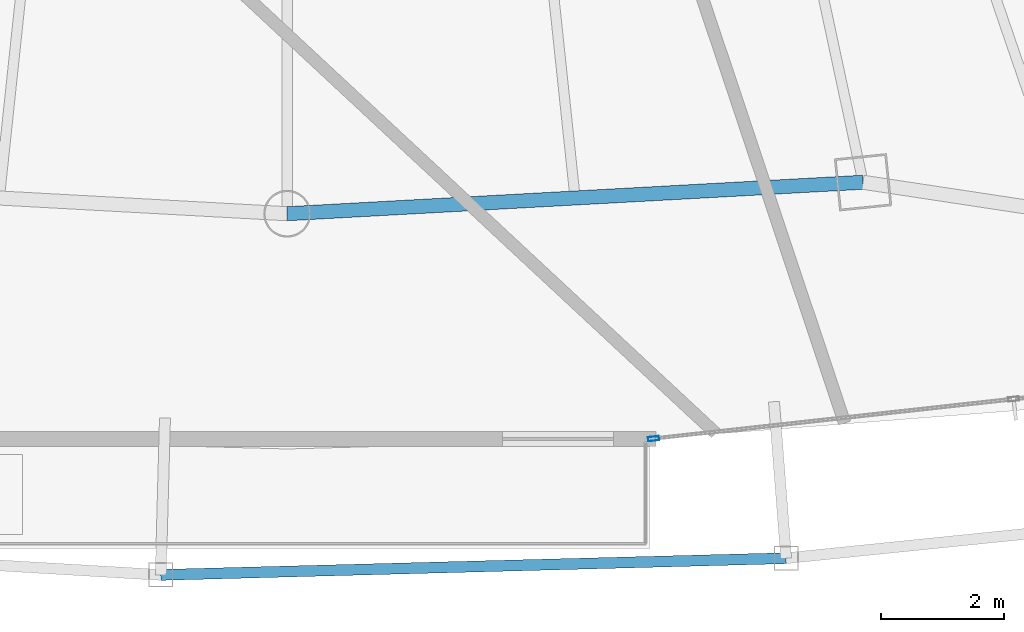
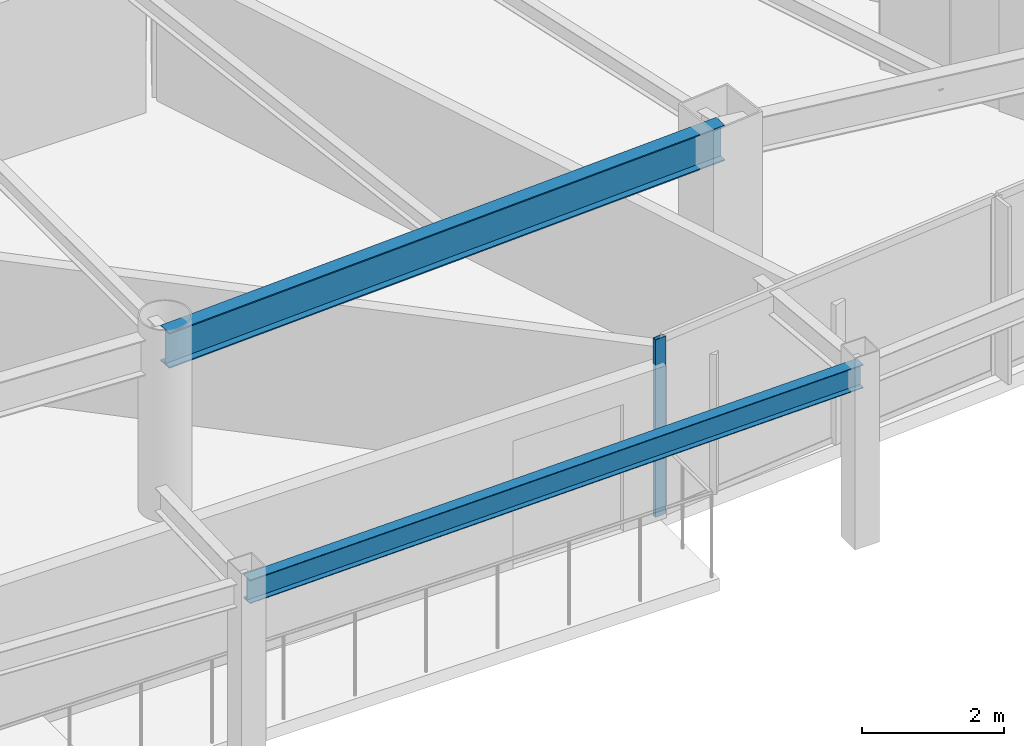
# One storey, part 7 of 31: 2 beams, 1 member, 1 element without a shape of its own.
"""IFC4 building model written with IfcOpenShell, lengths in metres."""

from ifc_helpers import new_model, si_unit, direction, frame, origin, origin_2d, place, context, subcontext, project, spatial, hollow_rectangle, i_section, extrude, material, layer, layer_set, material_profile, profile_set, type_object, element, aggregate, save


model = new_model("IFC4")

# Units and contexts
model_context = context("Model", 3, precision=1e-05, world=origin(), true_north=direction((0.0, 1.0)))
body_context = subcontext(model_context, "Body", "Model", "MODEL_VIEW")
ifc_project = project(units=[si_unit("LENGTHUNIT", "METRE"), si_unit("AREAUNIT", "SQUARE_METRE"), si_unit("VOLUMEUNIT", "CUBIC_METRE"), si_unit("PLANEANGLEUNIT", "RADIAN"), si_unit("MASSUNIT", "GRAM", prefix="KILO")], contexts=[model_context])

# Site, building, storey
site_placement = place(None, origin())
site = spatial("IfcSite", under=ifc_project, at=site_placement, CompositionType="ELEMENT")
building_placement = place(site_placement, origin())
building = spatial("IfcBuilding", under=site, at=building_placement, Name="Orvanel Arch Residences", CompositionType="ELEMENT")
storey_placement = place(building_placement, frame((0.0, 0.0, 129.800048828125)))
storey = spatial("IfcBuildingStorey", under=building, at=storey_placement, Name="L36", CompositionType="ELEMENT", Elevation=129.800048828125)

# Curtain wall, member
ifc_material_1 = material(Name="Bronze-anodised aluminium AA6063-T6", Category="aluminium")
ifc_layer = layer(ifc_material_1, 0.179931640625)
ifc_layer_set = layer_set([ifc_layer], Name="Bronze-anodised aluminium AA6063-T6")
curtain_wall_type = type_object("IfcCurtainWallType", Name="CW3-MID-SYS", PredefinedType="NOTDEFINED", material=ifc_layer_set)
curtain_wall_placement = place(storey_placement, origin())
curtain_wall = element("IfcCurtainWall", 1, at=curtain_wall_placement, inside=storey, type_object=curtain_wall_type, Name="L36 CW3-MID-SYS Unitised Curtain Wall", PredefinedType="NOTDEFINED")
ifc_material_profile_1 = material_profile(ifc_material_1, hollow_rectangle(XDim=0.070068359375, YDim=0.179931640625, WallThickness=0.00439453125, at=origin_2d()), Name="ALU180x70x4.5")
ifc_profile_set_1 = profile_set([ifc_material_profile_1], Name="Bronze-anodised aluminium AA6063-T6")
member_type = type_object("IfcMemberType", Name="MUL-180x70", PredefinedType="MULLION", material=ifc_profile_set_1)
member_placement = place(storey_placement, frame((38.94970703125, 3.19091796875, 0.0), z_axis=(0.0, 0.0, 1.0), x_axis=(-0.109627687319, 0.993972721041, 0.0)))
member = element("IfcMember", 2, at=member_placement, type_object=member_type, Name="CW-S3 mullion 1", PredefinedType="MULLION", context=body_context, shape_type="SweptSolid", body=[
    extrude(hollow_rectangle(XDim=0.070068359375, YDim=0.179931640625, WallThickness=0.00439453125, at=origin_2d()), origin(), (0.0, 0.0, 1.0), 3.06005859375),
])
aggregate(curtain_wall, [member])

# Beams
ifc_material_2 = material(Name="Structural steel AS/NZS 3679.1 Grade 300 (300 MPa)", Category="steel")
ifc_material_profile_2 = material_profile(ifc_material_2, i_section(OverallWidth=0.177978515625, OverallDepth=0.406005859375, WebThickness=0.0078125, FlangeThickness=0.0126953125, at=origin_2d()), Name="410UB59.7")
ifc_profile_set_2 = profile_set([ifc_material_profile_2], Name="Structural steel AS/NZS 3679.1 Grade 300 (300 MPa)")
beam_type_1 = type_object("IfcBeamType", Name="OB-410UB-EXT", PredefinedType="SPANDREL", material=ifc_profile_set_2)
beam_1_placement = place(storey_placement, frame((30.946044921875, 0.97900390625, 2.85693359375), z_axis=(0.999644189842, 0.026673839533, 0.0), x_axis=(-0.026673839533, 0.999644189842, 0.0)))
element("IfcBeam", 3, at=beam_1_placement, inside=storey, type_object=beam_type_1, Name="L36 Outer Perimeter Floor Ring Beam 06", PredefinedType="SPANDREL", context=body_context, shape_type="SweptSolid", body=[
    extrude(i_section(OverallWidth=0.177978515625, OverallDepth=0.406005859375, WebThickness=0.0078125, FlangeThickness=0.0126953125, at=origin_2d()), origin(), (0.0, 0.0, 1.0), 10.15966796875),
])
ifc_material_profile_3 = material_profile(ifc_material_2, i_section(OverallWidth=0.22900390625, OverallDepth=0.612060546875, WebThickness=0.011962890625, FlangeThickness=0.01953125, at=origin_2d()), Name="610UB125")
ifc_profile_set_3 = profile_set([ifc_material_profile_3], Name="Structural steel AS/NZS 3679.1 Grade 300 (300 MPa)")
beam_type_2 = type_object("IfcBeamType", Name="SP-610UB", PredefinedType="SPANDREL", material=ifc_profile_set_3)
beam_2_placement = place(storey_placement, frame((33.0, 6.843994140625, 2.75390625), z_axis=(0.998510315598, 0.054563262768, 0.0), x_axis=(-0.054563262768, 0.998510315598, 0.0)))
element("IfcBeam", 4, at=beam_2_placement, inside=storey, type_object=beam_type_2, Name="L36 Perimeter Spandrel Beam 06", PredefinedType="SPANDREL", context=body_context, shape_type="SweptSolid", body=[
    extrude(i_section(OverallWidth=0.22900390625, OverallDepth=0.612060546875, WebThickness=0.011962890625, FlangeThickness=0.01953125, at=origin_2d()), origin(), (0.0, 0.0, 1.0), 9.364990234375),
])

save(model, "model.ifc")
